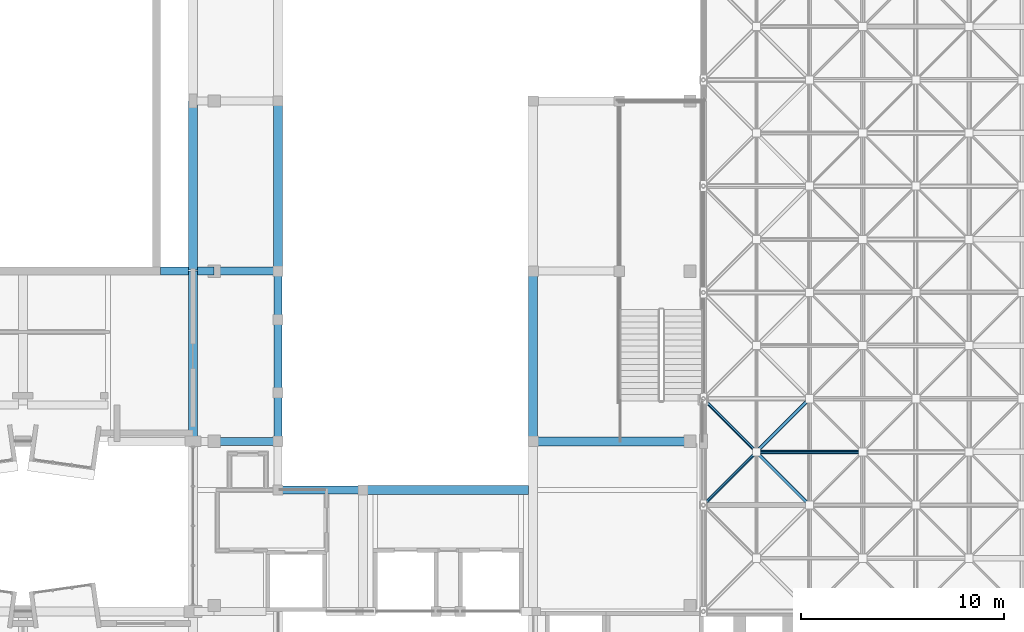
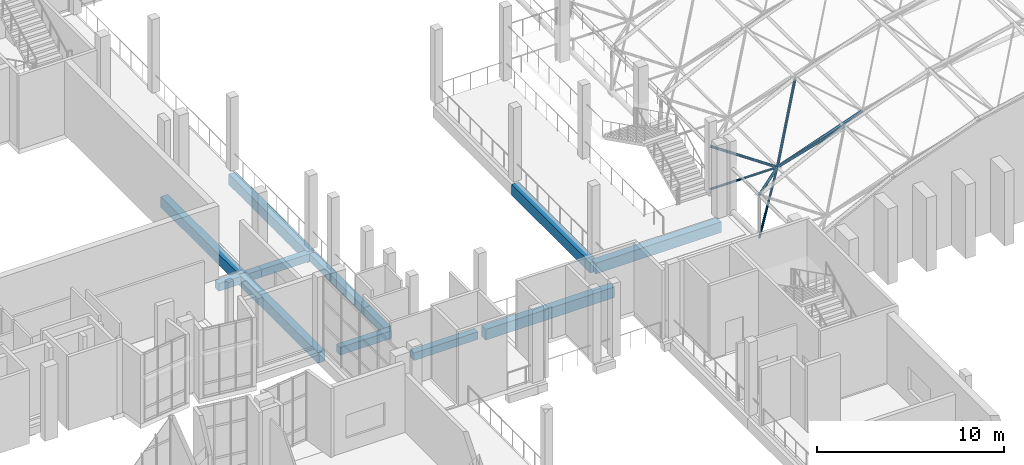
# One storey, part 9 of 100: 14 beams, 7 members.
"""IFC4 building model written with IfcOpenShell, lengths in metres."""

from ifc_helpers import new_model, si_unit, direction, frame, origin, origin_2d, place, context, subcontext, project, spatial, rectangle, hollow_circle, extrude, material, material_profile, profile_set, type_object, element, save


model = new_model("IFC4")

# Units and contexts
model_context = context("Model", 3, precision=1e-05, world=origin(), true_north=direction((0.0, 1.0)))
body_context = subcontext(model_context, "Body", "Model", "MODEL_VIEW")
ifc_project = project(units=[si_unit("LENGTHUNIT", "METRE"), si_unit("AREAUNIT", "SQUARE_METRE"), si_unit("VOLUMEUNIT", "CUBIC_METRE"), si_unit("PLANEANGLEUNIT", "RADIAN"), si_unit("MASSUNIT", "GRAM", prefix="KILO")], contexts=[model_context])

# Site, building, storey
site_placement = place(None, origin())
site = spatial("IfcSite", under=ifc_project, at=site_placement, CompositionType="ELEMENT")
building_placement = place(site_placement, origin())
building = spatial("IfcBuilding", under=site, at=building_placement, Name="Kiln Court Media Centre", CompositionType="ELEMENT")
storey_placement = place(building_placement, frame((0.0, 0.0, 15.0)))
storey = spatial("IfcBuildingStorey", under=building, at=storey_placement, Name="L03", CompositionType="ELEMENT", Elevation=15.0)

# Beams
ifc_material_1 = material(Name="Concrete C30/37", Category="concrete")
ifc_material_profile_1 = material_profile(ifc_material_1, rectangle(XDim=0.39990234375, YDim=0.5, at=origin_2d()), Name="RC 400x500")
ifc_profile_set_1 = profile_set([ifc_material_profile_1], Name="Concrete C30/37")
beam_type_1 = type_object("IfcBeamType", Name="Concrete C30/37 beam 400x500", PredefinedType="BEAM", material=ifc_profile_set_1)
beam_1_placement = place(storey_placement, frame((32.0, 42.0, -0.550048828125), z_axis=(1.0, 0.0, 0.0), x_axis=(0.0, 1.0, 0.0)))
element("IfcBeam", 1, at=beam_1_placement, inside=storey, type_object=beam_type_1, Name="L03-B-1057", PredefinedType="BEAM", context=body_context, shape_type="SweptSolid", body=[
    extrude(rectangle(XDim=0.39990234375, YDim=0.5, at=origin_2d()), origin(), (0.0, 0.0, 1.0), 1.375),
])
beam_2_placement = place(storey_placement, frame((34.64990234375, 33.60009765625, -0.550048828125), z_axis=(1.0, 0.0, 0.0), x_axis=(0.0, 1.0, 0.0)))
element("IfcBeam", 2, at=beam_2_placement, inside=storey, type_object=beam_type_1, Name="L03-B-1078", PredefinedType="BEAM", context=body_context, shape_type="SweptSolid", body=[
    extrude(rectangle(XDim=0.39990234375, YDim=0.5, at=origin_2d()), origin(), (0.0, 0.0, 1.0), 3.151123046875),
])
beam_3_placement = place(storey_placement, frame((33.824951171875, 42.0, -0.550048828125), z_axis=(1.0, 0.0, 0.0), x_axis=(0.0, 1.0, 0.0)))
element("IfcBeam", 3, at=beam_3_placement, inside=storey, type_object=beam_type_1, Name="L03-B-1080", PredefinedType="BEAM", context=body_context, shape_type="SweptSolid", body=[
    extrude(rectangle(XDim=0.39990234375, YDim=0.5, at=origin_2d()), origin(), (0.0, 0.0, 1.0), 0.824951171875),
])
beam_4_placement = place(storey_placement, frame((34.64990234375, 42.0, -0.550048828125), z_axis=(1.0, 0.0, 0.0), x_axis=(0.0, 1.0, 0.0)))
element("IfcBeam", 4, at=beam_4_placement, inside=storey, type_object=beam_type_1, Name="L03-B-1081", PredefinedType="BEAM", context=body_context, shape_type="SweptSolid", body=[
    extrude(rectangle(XDim=0.39990234375, YDim=0.5, at=origin_2d()), origin(), (0.0, 0.0, 1.0), 3.151123046875),
])
beam_5_placement = place(storey_placement, frame((37.800048828125, 41.800048828125, -0.550048828125), z_axis=(0.0, -1.0, 0.0), x_axis=(1.0, 0.0, 0.0)))
element("IfcBeam", 5, at=beam_5_placement, inside=storey, type_object=beam_type_1, Name="L03-B-1093", PredefinedType="BEAM", context=body_context, shape_type="SweptSolid", body=[
    extrude(rectangle(XDim=0.39990234375, YDim=0.5, at=origin_2d()), origin(), (0.0, 0.0, 1.0), 2.199951171875),
])
beam_6_placement = place(storey_placement, frame((37.800048828125, 39.60009765625, -0.550048828125), z_axis=(0.0, -1.0, 0.0), x_axis=(1.0, 0.0, 0.0)))
element("IfcBeam", 6, at=beam_6_placement, inside=storey, type_object=beam_type_1, Name="L03-B-1094", PredefinedType="BEAM", context=body_context, shape_type="SweptSolid", body=[
    extrude(rectangle(XDim=0.39990234375, YDim=0.5, at=origin_2d()), origin(), (0.0, 0.0, 1.0), 3.60009765625),
])
beam_7_placement = place(storey_placement, frame((37.800048828125, 36.0, -0.550048828125), z_axis=(0.0, -1.0, 0.0), x_axis=(1.0, 0.0, 0.0)))
element("IfcBeam", 7, at=beam_7_placement, inside=storey, type_object=beam_type_1, Name="L03-B-1095", PredefinedType="BEAM", context=body_context, shape_type="SweptSolid", body=[
    extrude(rectangle(XDim=0.39990234375, YDim=0.5, at=origin_2d()), origin(), (0.0, 0.0, 1.0), 2.199951171875),
])
beam_8_placement = place(storey_placement, frame((37.800048828125, 31.199951171875, -0.550048828125), z_axis=(1.0, 0.0, 0.0), x_axis=(0.0, 1.0, 0.0)))
element("IfcBeam", 8, at=beam_8_placement, inside=storey, type_object=beam_type_1, Name="L03-B-1097", PredefinedType="BEAM", context=body_context, shape_type="SweptSolid", body=[
    extrude(rectangle(XDim=0.39990234375, YDim=0.5, at=origin_2d()), origin(), (0.0, 0.0, 1.0), 3.974853515625),
])
ifc_material_2 = material(Name="Concrete C30/37", Category="concrete")
ifc_material_profile_2 = material_profile(ifc_material_2, rectangle(XDim=0.449951171875, YDim=0.699951171875, at=origin_2d()), Name="RC 450x700")
ifc_profile_set_2 = profile_set([ifc_material_profile_2], Name="Concrete C30/37")
beam_type_2 = type_object("IfcBeamType", Name="Concrete C30/37 beam 450x700", PredefinedType="BEAM", material=ifc_profile_set_2)
beam_9_placement = place(storey_placement, frame((33.60009765625, 33.60009765625, -0.64990234375), z_axis=(0.0, 1.0, 0.0), x_axis=(-1.0, 0.0, 0.0)))
element("IfcBeam", 9, at=beam_9_placement, inside=storey, type_object=beam_type_2, Name="L03-B-1053", PredefinedType="BEAM", context=body_context, shape_type="SweptSolid", body=[
    extrude(rectangle(XDim=0.449951171875, YDim=0.699951171875, at=origin_2d()), origin(), (0.0, 0.0, 1.0), 8.40087890625),
])
beam_10_placement = place(storey_placement, frame((33.60009765625, 42.050048828125, -0.64990234375), z_axis=(0.0, 1.0, 0.0), x_axis=(-1.0, 0.0, 0.0)))
element("IfcBeam", 10, at=beam_10_placement, inside=storey, type_object=beam_type_2, Name="L03-B-1067", PredefinedType="BEAM", context=body_context, shape_type="SweptSolid", body=[
    extrude(rectangle(XDim=0.449951171875, YDim=0.699951171875, at=origin_2d()), origin(), (0.0, 0.0, 1.0), 8.349853515625),
])
beam_11_placement = place(storey_placement, frame((50.39990234375, 33.60009765625, -0.64990234375), z_axis=(0.0, 1.0, 0.0), x_axis=(-1.0, 0.0, 0.0)))
element("IfcBeam", 11, at=beam_11_placement, inside=storey, type_object=beam_type_2, Name="L03-B-1071", PredefinedType="BEAM", context=body_context, shape_type="SweptSolid", body=[
    extrude(rectangle(XDim=0.449951171875, YDim=0.699951171875, at=origin_2d()), origin(), (0.0, 0.0, 1.0), 8.39990234375),
])
beam_12_placement = place(storey_placement, frame((50.39990234375, 33.60009765625, -0.64990234375), z_axis=(1.0, 0.0, 0.0), x_axis=(0.0, 1.0, 0.0)))
element("IfcBeam", 12, at=beam_12_placement, inside=storey, type_object=beam_type_2, Name="L03-B-1079", PredefinedType="BEAM", context=body_context, shape_type="SweptSolid", body=[
    extrude(rectangle(XDim=0.449951171875, YDim=0.699951171875, at=origin_2d()), origin(), (0.0, 0.0, 1.0), 7.75),
])
beam_13_placement = place(storey_placement, frame((37.800048828125, 50.39990234375, -0.64990234375), z_axis=(0.0, -1.0, 0.0), x_axis=(1.0, 0.0, 0.0)))
element("IfcBeam", 13, at=beam_13_placement, inside=storey, type_object=beam_type_2, Name="L03-B-1092", PredefinedType="BEAM", context=body_context, shape_type="SweptSolid", body=[
    extrude(rectangle(XDim=0.449951171875, YDim=0.699951171875, at=origin_2d()), origin(), (0.0, 0.0, 1.0), 8.39990234375),
])
beam_14_placement = place(storey_placement, frame((42.22509765625, 31.199951171875, -0.64990234375), z_axis=(1.0, 0.0, 0.0), x_axis=(0.0, 1.0, 0.0)))
element("IfcBeam", 14, at=beam_14_placement, inside=storey, type_object=beam_type_2, Name="L03-B-1098", PredefinedType="BEAM", context=body_context, shape_type="SweptSolid", body=[
    extrude(rectangle(XDim=0.449951171875, YDim=0.699951171875, at=origin_2d()), origin(), (0.0, 0.0, 1.0), 7.949951171875),
])

# Members
ifc_material_3 = material(Name="Steel ASTM A500 Gr C", Category="steel")
ifc_material_profile_3 = material_profile(ifc_material_3, hollow_circle(Radius=0.06982421875, WallThickness=0.0048828125, at=origin_2d()), Name="CHS 139.7x5.0")
ifc_profile_set_3 = profile_set([ifc_material_profile_3], Name="Steel ASTM A500 Gr C")
member_type_1 = type_object("IfcMemberType", Name="Steel ASTM A500 Gr C CHS 139.7x5.0 space frame brace", PredefinedType="BRACE", material=ifc_profile_set_3)
for number, where, z_axis, x_axis, name in (
    (15, (58.800048828125, 30.449951171875, 0.18994140625), (0.614895163376, 0.614895163376, 0.493769051394), (-0.707106781187, 0.707106781187, 0.0), "V1 roof bearing tie first 2 space frame brace"),
    (16, (58.800048828125, 35.699951171875, 0.18994140625), (0.614895163376, -0.614895163376, 0.493769051394), (0.707106781187, 0.707106781187, 0.0), "V1 roof bearing tie first 3 space frame brace"),
):
    element("IfcMember", number, at=place(storey_placement, frame(where, z_axis=z_axis, x_axis=x_axis)), inside=storey, type_object=member_type_1, Name=name, PredefinedType="BRACE", context=body_context, shape_type="SweptSolid", body=[
        extrude(hollow_circle(Radius=0.06982421875, WallThickness=0.0048828125, at=origin_2d()), origin(), (0.0, 0.0, 1.0), 4.26904296875),
    ])
ifc_material_4 = material(Name="Steel ASTM A500 Gr C", Category="steel")
ifc_material_profile_4 = material_profile(ifc_material_4, hollow_circle(Radius=0.084228515625, WallThickness=0.00634765625, at=origin_2d()), Name="CHS 168.3x6.3")
ifc_profile_set_4 = profile_set([ifc_material_profile_4], Name="Steel ASTM A500 Gr C")
member_type_2 = type_object("IfcMemberType", Name="Steel ASTM A500 Gr C CHS 168.3x6.3 space frame brace", PredefinedType="BRACE", material=ifc_profile_set_4)
member_1_placement = place(storey_placement, frame((61.425048828125, 33.074951171875, 2.2978515625), z_axis=(-0.694788256549, -0.694788256549, 0.185845519516), x_axis=(0.707106781187, -0.707106781187, 0.0)))
element("IfcMember", 17, at=member_1_placement, inside=storey, type_object=member_type_2, Name="V1 roof diagonal 1-2 space frame brace", PredefinedType="BRACE", context=body_context, shape_type="SweptSolid", body=[
    extrude(hollow_circle(Radius=0.084228515625, WallThickness=0.00634765625, at=origin_2d()), origin(), (0.0, 0.0, 1.0), 3.778076171875),
])
member_2_placement = place(storey_placement, frame((61.425048828125, 33.074951171875, 2.2978515625), z_axis=(0.526569761857, -0.526569761857, 0.667419337295), x_axis=(0.707106781187, 0.707106781187, 0.0)))
element("IfcMember", 18, at=member_2_placement, inside=storey, type_object=member_type_2, Name="V1 roof diagonal 1-2 space frame brace", PredefinedType="BRACE", context=body_context, shape_type="SweptSolid", body=[
    extrude(hollow_circle(Radius=0.084228515625, WallThickness=0.00634765625, at=origin_2d()), origin(), (0.0, 0.0, 1.0), 4.985107421875),
])
member_3_placement = place(storey_placement, frame((61.425048828125, 33.074951171875, 2.2978515625), z_axis=(-0.694788256549, 0.694788256549, 0.185845519516), x_axis=(-0.707106781187, -0.707106781187, 0.0)))
element("IfcMember", 19, at=member_3_placement, inside=storey, type_object=member_type_2, Name="V1 roof diagonal 1-2 space frame brace", PredefinedType="BRACE", context=body_context, shape_type="SweptSolid", body=[
    extrude(hollow_circle(Radius=0.084228515625, WallThickness=0.00634765625, at=origin_2d()), origin(), (0.0, 0.0, 1.0), 3.778076171875),
])
member_4_placement = place(storey_placement, frame((61.425048828125, 33.074951171875, 2.2978515625), z_axis=(0.526569761857, 0.526569761857, 0.667419337295), x_axis=(-0.707106781187, 0.707106781187, 0.0)))
element("IfcMember", 20, at=member_4_placement, inside=storey, type_object=member_type_2, Name="V1 roof diagonal 1-2 space frame brace", PredefinedType="BRACE", context=body_context, shape_type="SweptSolid", body=[
    extrude(hollow_circle(Radius=0.084228515625, WallThickness=0.00634765625, at=origin_2d()), origin(), (0.0, 0.0, 1.0), 4.985107421875),
])
ifc_material_5 = material(Name="Steel ASTM A500 Gr C", Category="steel")
ifc_material_profile_5 = material_profile(ifc_material_5, hollow_circle(Radius=0.096923828125, WallThickness=0.008056640625, at=origin_2d()), Name="CHS 193.7x8.0")
ifc_profile_set_5 = profile_set([ifc_material_profile_5], Name="Steel ASTM A500 Gr C")
member_type_3 = type_object("IfcMemberType", Name="Steel ASTM A500 Gr C CHS 193.7x8.0 space frame chord", PredefinedType="CHORD", material=ifc_profile_set_5)
member_5_placement = place(storey_placement, frame((61.425048828125, 33.074951171875, 2.2978515625), z_axis=(0.943959597571, 0.0, 0.330061021863), x_axis=(0.0, 1.0, 0.0)))
element("IfcMember", 21, at=member_5_placement, inside=storey, type_object=member_type_3, Name="V1 roof bottom chord across line 2 space frame chord", PredefinedType="CHORD", context=body_context, shape_type="SweptSolid", body=[
    extrude(hollow_circle(Radius=0.096923828125, WallThickness=0.008056640625, at=origin_2d()), origin(), (0.0, 0.0, 1.0), 5.561767578125),
])

save(model, "model.ifc")
